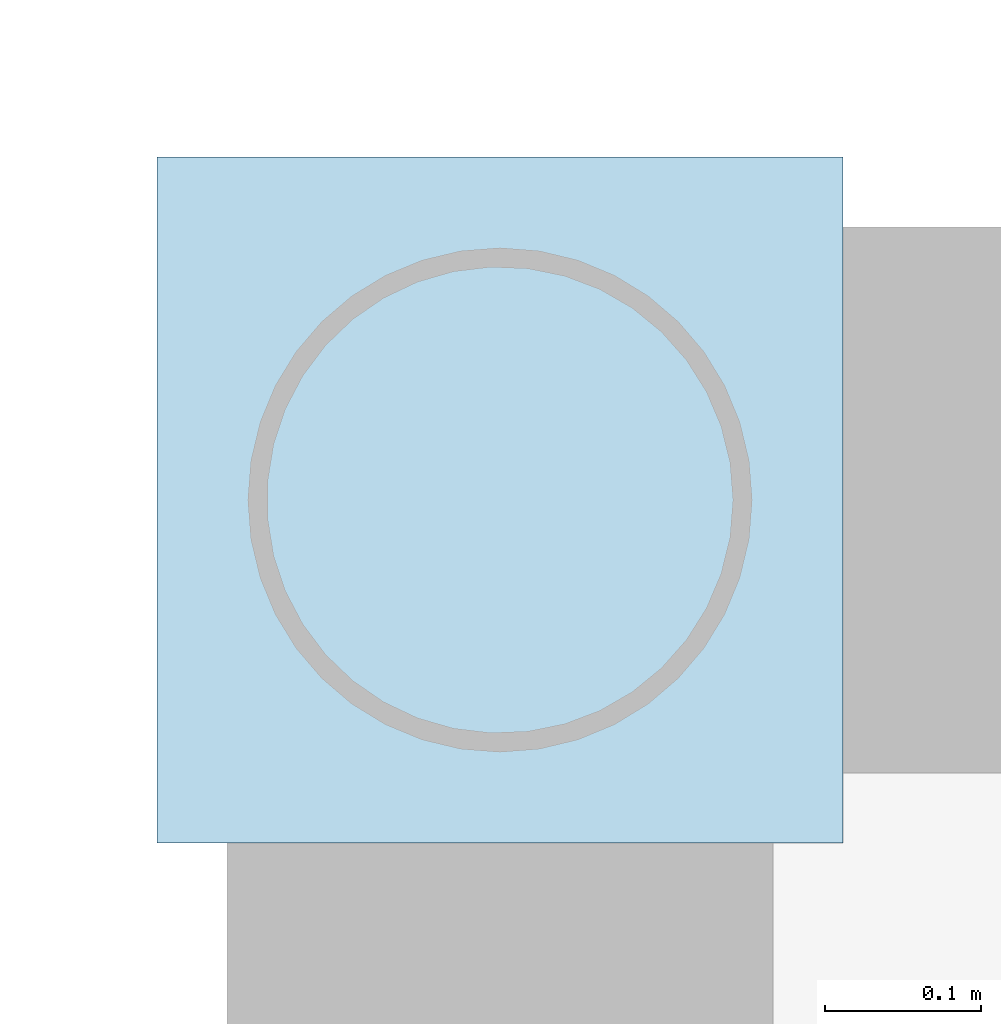
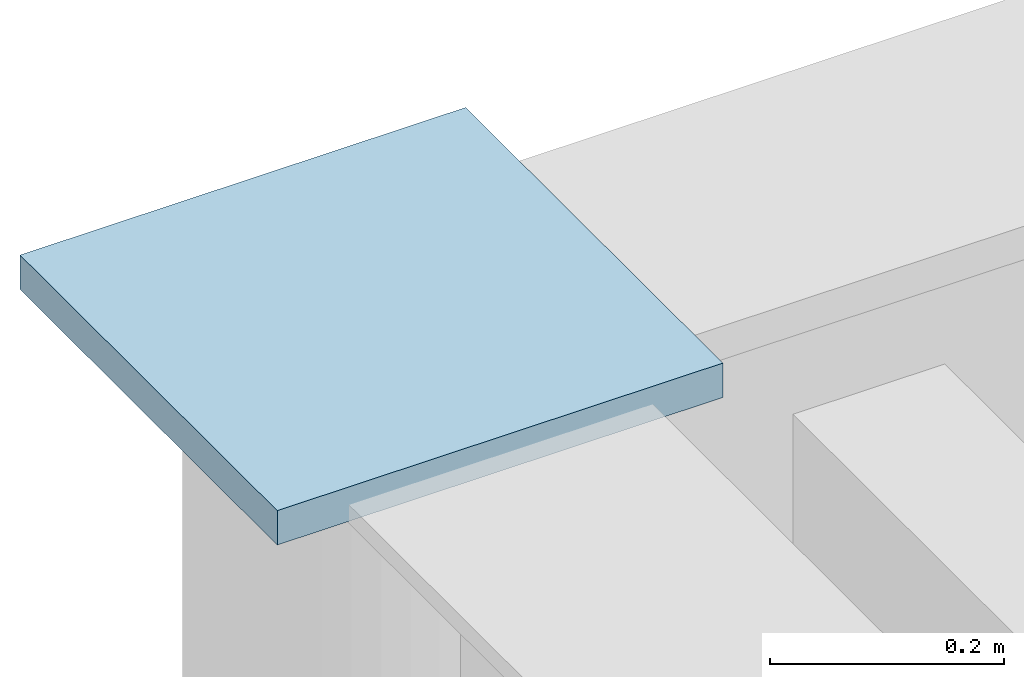
# One storey, part 116 of 143: 1 plate.
"""IFC4 building model written with IfcOpenShell, lengths in metres."""

from ifc_helpers import new_model, si_unit, direction, frame, origin, origin_2d, place, context, subcontext, project, spatial, rectangle, extrude, material, layer, layer_set, type_object, element, save


model = new_model("IFC4")

# Units and contexts
model_context = context("Model", 3, precision=1e-05, world=origin(), true_north=direction((0.0, 1.0)))
body_context = subcontext(model_context, "Body", "Model", "MODEL_VIEW")
ifc_project = project(units=[si_unit("LENGTHUNIT", "METRE"), si_unit("AREAUNIT", "SQUARE_METRE"), si_unit("VOLUMEUNIT", "CUBIC_METRE"), si_unit("PLANEANGLEUNIT", "RADIAN"), si_unit("MASSUNIT", "GRAM", prefix="KILO")], contexts=[model_context])

# Site, building, storey
site_placement = place(None, origin())
site = spatial("IfcSite", under=ifc_project, at=site_placement, CompositionType="ELEMENT")
building_placement = place(site_placement, origin())
building = spatial("IfcBuilding", under=site, at=building_placement, Name="Montelvaro Courts of Justice", CompositionType="ELEMENT")
storey_placement = place(building_placement, origin())
storey = spatial("IfcBuildingStorey", under=building, at=storey_placement, Name="L00", CompositionType="ELEMENT", Elevation=0.0)

# Plate
ifc_material = material(Name="Steel S355", Category="steel")
ifc_layer = layer(ifc_material, 0.035888671875)
ifc_layer_set = layer_set([ifc_layer], Name="Steel S355")
plate_type = type_object("IfcPlateType", Name="EndCapPlate_36", PredefinedType="USERDEFINED", material=ifc_layer_set)
plate_placement = place(storey_placement, frame((0.0, 66.0, 5.1318359375), z_axis=(0.0, 0.0, 1.0), x_axis=(1.0, 0.0, 0.0)))
element("IfcPlate", 1, at=plate_placement, inside=storey, type_object=plate_type, Name="Column End Cap Plate CP-02 03", ObjectType="GUSSET PLATE", PredefinedType="USERDEFINED", context=body_context, shape_type="SweptSolid", body=[
    extrude(rectangle(XDim=0.43994140625, YDim=0.43994140625, at=origin_2d()), origin(), (0.0, 0.0, 1.0), 0.035888671875),
])

save(model, "model.ifc")
